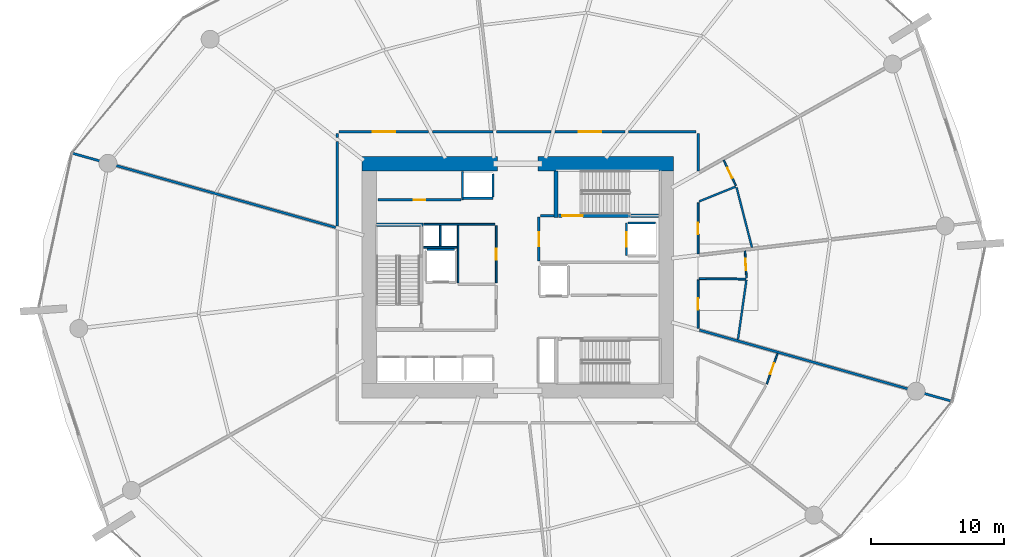
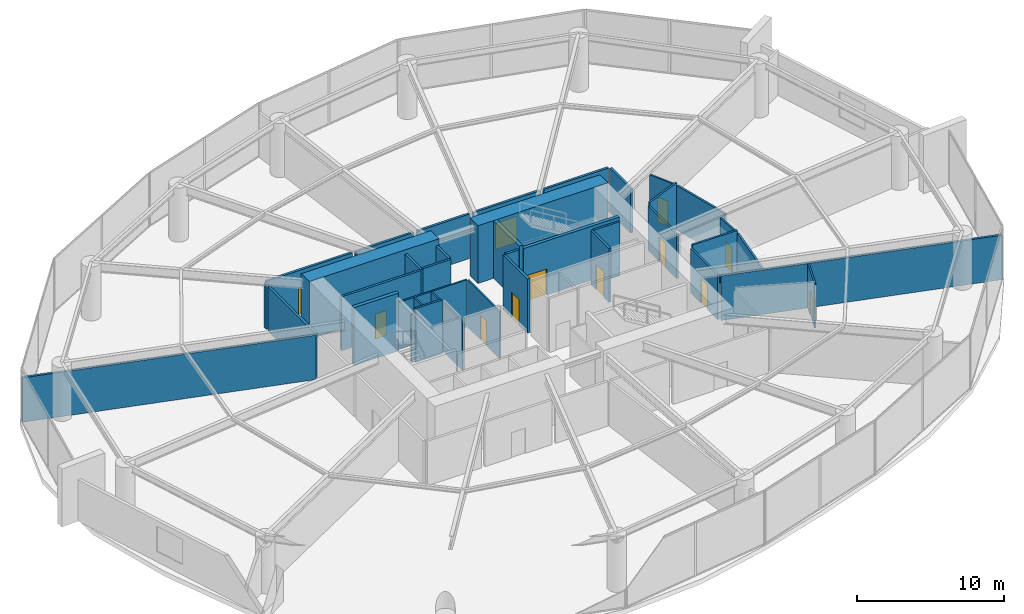
# One storey, part 19 of 22: 38 walls, 12 doors, 12 openings.
"""IFC4 building model written with IfcOpenShell, lengths in metres."""

from ifc_helpers import new_model, si_unit, direction, frame, frame_2d, origin, place, context, subcontext, project, spatial, rectangle, extrude, material, layer, layer_set, type_object, element, fill, save


model = new_model("IFC4")

# Units and contexts
model_context = context("Model", 3, precision=1e-05, world=origin(), true_north=direction((0.0, 1.0)))
body_context = subcontext(model_context, "Body", "Model", "MODEL_VIEW")
ifc_project = project(units=[si_unit("LENGTHUNIT", "METRE"), si_unit("AREAUNIT", "SQUARE_METRE"), si_unit("VOLUMEUNIT", "CUBIC_METRE"), si_unit("PLANEANGLEUNIT", "RADIAN"), si_unit("MASSUNIT", "GRAM", prefix="KILO")], contexts=[model_context])

# Site, building, storey
site_placement = place(None, origin())
site = spatial("IfcSite", under=ifc_project, at=site_placement, CompositionType="ELEMENT")
building_placement = place(site_placement, origin())
building = spatial("IfcBuilding", under=site, at=building_placement, Name="Kazma Halo Residences", CompositionType="ELEMENT")
storey_placement = place(building_placement, frame((0.0, 0.0, 7.199951171875)))
storey = spatial("IfcBuildingStorey", under=building, at=storey_placement, Name="L01", CompositionType="ELEMENT", Elevation=7.199951171875)

# Walls
ifc_material_1 = material(Name="Concrete C80/95", Category="concrete")
ifc_layer_1 = layer(ifc_material_1, 1.10009765625)
ifc_layer_set_1 = layer_set([ifc_layer_1], Name="Concrete C80/95")
wall_type_1 = type_object("IfcWallType", Name="WL-CORE-1100", PredefinedType="SHEAR", material=ifc_layer_set_1)
for number, where, z_axis, x_axis, name in (
    (1, (36.699951171875, 50.550048828125, 0.0), (0.0, 0.0, 1.0), (1.0, 0.0, 0.0), "L01 central core shear wall NW"),
    (2, (49.949951171875, 50.550048828125, 0.0), (0.0, 0.0, 1.0), (1.0, 0.0, 0.0), "L01 central core shear wall NE"),
):
    element("IfcWall", number, at=place(storey_placement, frame(where, z_axis=z_axis, x_axis=x_axis)), inside=storey, type_object=wall_type_1, Name=name, PredefinedType="SHEAR", context=body_context, shape_type="SweptSolid", body=[
        extrude(rectangle(XDim=10.199951171875, YDim=1.10009765625, at=frame_2d((5.10009765625, 0.0))), origin(), (0.0, 0.0, 1.0), 4.800048828125),
    ])
ifc_material_2 = material(Name="Concrete C60/75", Category="concrete")
ifc_layer_2 = layer(ifc_material_2, 0.280029296875)
ifc_layer_set_2 = layer_set([ifc_layer_2], Name="Concrete C60/75")
wall_type_2 = type_object("IfcWallType", Name="WL-CORE-ST-280", PredefinedType="SHEAR", material=ifc_layer_set_2)
for number, where, z_axis, x_axis, name in (
    (3, (37.800048828125, 45.93994140625, 0.0), (0.0, 0.0, 1.0), (1.0, 0.0, 0.0), "L01 stairwell bearing wall ST01-N"),
    (4, (51.31005859375, 46.5, 0.0), (0.0, 0.0, 1.0), (0.0, 1.0, 0.0), "L01 stairwell bearing wall ST02-W"),
):
    element("IfcWall", number, at=place(storey_placement, frame(where, z_axis=z_axis, x_axis=x_axis)), inside=storey, type_object=wall_type_2, Name=name, PredefinedType="SHEAR", context=body_context, shape_type="SweptSolid", body=[
        extrude(rectangle(XDim=3.5, YDim=0.280029296875, at=frame_2d((1.75, 0.0))), origin(), (0.0, 0.0, 1.0), 4.800048828125),
    ])
ifc_material_3 = material(Name="Acoustic Twin-Stud Gypsum")
ifc_layer_3 = layer(ifc_material_3, 0.179931640625)
ifc_layer_set_3 = layer_set([ifc_layer_3], Name="Acoustic Twin-Stud Gypsum")
wall_type_3 = type_object("IfcWallType", Name="WL-DEM-180", PredefinedType="PARTITIONING", material=ifc_layer_set_3)
wall_1_placement = place(storey_placement, frame((62.0, 49.98046875, 0.0), z_axis=(0.0, 0.0, 1.0), x_axis=(0.0, 1.0, 0.0)))
element("IfcWall", 5, at=wall_1_placement, inside=storey, type_object=wall_type_3, Name="L01 Residents Assembly Lounge corridor wall", PredefinedType="PARTITIONING", context=body_context, shape_type="SweptSolid", body=[
    extrude(rectangle(XDim=2.82958984375, YDim=0.179931640625, at=frame_2d((1.414794921875, 0.0))), origin(), (0.0, 0.0, 1.0), 3.693115234375),
])
wall_2_placement = place(storey_placement, frame((61.860107421875, 52.949951171875, 0.0), z_axis=(0.0, 0.0, 1.0), x_axis=(-1.0, 0.0, 0.0)))
element("IfcWall", 6, at=wall_2_placement, inside=storey, type_object=wall_type_3, Name="L01 Residents Assembly Lounge corridor wall", PredefinedType="PARTITIONING", context=body_context, shape_type="SweptSolid", body=[
    extrude(rectangle(XDim=5.087890625, YDim=0.179931640625, at=frame_2d((2.5439453125, 0.0))), origin(), (0.0, 0.0, 1.0), 3.693115234375),
])

# Wall, opening, door
wall_3_placement = place(storey_placement, frame((56.4921875, 52.949951171875, 0.0), z_axis=(0.0, 0.0, 1.0), x_axis=(-1.0, 0.0, 0.0)))
wall_3 = element("IfcWall", 7, at=wall_3_placement, inside=storey, type_object=wall_type_3, Name="L01 Residents Assembly Lounge corridor wall", PredefinedType="PARTITIONING", context=body_context, shape_type="SweptSolid", body=[
    extrude(rectangle(XDim=5.263916015625, YDim=0.179931640625, at=frame_2d((2.6318359375, 0.0))), origin(), (0.0, 0.0, 1.0), 3.693115234375),
])
opening_1_placement = place(wall_3_placement, frame((1.781982421875, 0.0, 0.0)))
opening_1 = element("IfcOpeningElement", 8, at=opening_1_placement, cuts=wall_3, Name="Opening DL-1800", PredefinedType="OPENING", context=body_context, shape_type="SweptSolid", body=[
    extrude(rectangle(XDim=1.699951171875, YDim=2.14990234375, at=frame_2d((0.85009765625, 1.074951171875))), frame((0.0, 0.099853515625, 0.0), z_axis=(0.0, -1.0, 0.0), x_axis=(1.0, 0.0, 0.0)), (0.0, 0.0, 1.0), 0.199951171875),
])
ifc_material_4 = material(Name="Glazed Aluminium Double Leaf", Category="aluminium")
door_type_1 = type_object("IfcDoorType", Name="DR-LGE-1800", OperationType="NOTDEFINED", PredefinedType="DOOR", material=ifc_material_4)
door_1_placement = place(opening_1_placement, origin())
door_1 = element("IfcDoor", 9, at=door_1_placement, inside=storey, type_object=door_type_1, Name="L01 Residents Assembly Lounge entrance door", OperationType="DOUBLE_DOOR_SINGLE_SWING", OverallHeight=2.14990234375, OverallWidth=1.699951171875, PredefinedType="DOOR", context=body_context, shape_type="SweptSolid", body=[
    extrude(rectangle(XDim=1.699951171875, YDim=2.14990234375, at=frame_2d((0.85009765625, 1.074951171875))), frame((0.0, 0.02490234375, 0.0), z_axis=(0.0, -1.0, 0.0), x_axis=(1.0, 0.0, 0.0)), (0.0, 0.0, 1.0), 0.050048828125),
])
fill(opening_1, door_1)

# Walls
wall_4_placement = place(storey_placement, frame((50.9482421875, 52.949951171875, 0.0), z_axis=(0.0, 0.0, 1.0), x_axis=(-1.0, 0.0, 0.0)))
element("IfcWall", 10, at=wall_4_placement, inside=storey, type_object=wall_type_3, Name="L01 Residents Assembly Lounge corridor wall", PredefinedType="PARTITIONING", context=body_context, shape_type="SweptSolid", body=[
    extrude(rectangle(XDim=4.104248046875, YDim=0.179931640625, at=frame_2d((2.05224609375, 0.0))), origin(), (0.0, 0.0, 1.0), 3.693115234375),
])
wall_5_placement = place(storey_placement, frame((46.56396484375, 52.949951171875, 0.0), z_axis=(0.0, 0.0, 1.0), x_axis=(-1.0, 0.0, 0.0)))
element("IfcWall", 11, at=wall_5_placement, inside=storey, type_object=wall_type_3, Name="L01 Co-Working Business Suite corridor wall", PredefinedType="PARTITIONING", context=body_context, shape_type="SweptSolid", body=[
    extrude(rectangle(XDim=4.55615234375, YDim=0.179931640625, at=frame_2d((2.278076171875, 0.0))), origin(), (0.0, 0.0, 1.0), 3.693115234375),
])

# Wall, opening, door
wall_6_placement = place(storey_placement, frame((41.727783203125, 52.949951171875, 0.0), z_axis=(0.0, 0.0, 1.0), x_axis=(-1.0, 0.0, 0.0)))
wall_6 = element("IfcWall", 12, at=wall_6_placement, inside=storey, type_object=wall_type_3, Name="L01 Co-Working Business Suite corridor wall", PredefinedType="PARTITIONING", context=body_context, shape_type="SweptSolid", body=[
    extrude(rectangle(XDim=6.73779296875, YDim=0.179931640625, at=frame_2d((3.368896484375, 0.0))), origin(), (0.0, 0.0, 1.0), 3.693115234375),
])
opening_2_placement = place(wall_6_placement, frame((2.518798828125, 0.0, 0.0)))
opening_2 = element("IfcOpeningElement", 13, at=opening_2_placement, cuts=wall_6, Name="Opening DL-1800", PredefinedType="OPENING", context=body_context, shape_type="SweptSolid", body=[
    extrude(rectangle(XDim=1.699951171875, YDim=2.14990234375, at=frame_2d((0.85009765625, 1.074951171875))), frame((0.0, 0.099853515625, 0.0), z_axis=(0.0, -1.0, 0.0), x_axis=(1.0, 0.0, 0.0)), (0.0, 0.0, 1.0), 0.199951171875),
])
door_2_placement = place(opening_2_placement, origin())
door_2 = element("IfcDoor", 14, at=door_2_placement, inside=storey, type_object=door_type_1, Name="L01 Co-Working Business Suite entrance door", OperationType="DOUBLE_DOOR_SINGLE_SWING", OverallHeight=2.14990234375, OverallWidth=1.699951171875, PredefinedType="DOOR", context=body_context, shape_type="SweptSolid", body=[
    extrude(rectangle(XDim=1.699951171875, YDim=2.14990234375, at=frame_2d((0.85009765625, 1.074951171875))), frame((0.0, 0.02490234375, 0.0), z_axis=(0.0, -1.0, 0.0), x_axis=(1.0, 0.0, 0.0)), (0.0, 0.0, 1.0), 0.050048828125),
])
fill(opening_2, door_2)

# Walls
wall_7_placement = place(storey_placement, frame((34.85009765625, 52.81005859375, 0.0), z_axis=(0.0, 0.0, 1.0), x_axis=(0.0, -1.0, 0.0)))
element("IfcWall", 15, at=wall_7_placement, inside=storey, type_object=wall_type_3, Name="L01 Co-Working Business Suite corridor wall", PredefinedType="PARTITIONING", context=body_context, shape_type="SweptSolid", body=[
    extrude(rectangle(XDim=0.303466796875, YDim=0.179931640625, at=frame_2d((0.15185546875, 0.0))), origin(), (0.0, 0.0, 1.0), 3.693115234375),
])
wall_8_placement = place(storey_placement, frame((34.85009765625, 52.2265625, 0.0), z_axis=(0.0, 0.0, 1.0), x_axis=(0.0, -1.0, 0.0)))
element("IfcWall", 16, at=wall_8_placement, inside=storey, type_object=wall_type_3, Name="L01 Co-Working Business Suite corridor wall", PredefinedType="PARTITIONING", context=body_context, shape_type="SweptSolid", body=[
    extrude(rectangle(XDim=6.3779296875, YDim=0.179931640625, at=frame_2d((3.18896484375, 0.0))), origin(), (0.0, 0.0, 1.0), 3.693115234375),
])
wall_9_placement = place(storey_placement, frame((34.744140625, 45.738525390625, 0.0), z_axis=(0.0, 0.0, 1.0), x_axis=(-0.96245531293, 0.271440178702, 0.0)))
element("IfcWall", 17, at=wall_9_placement, inside=storey, type_object=wall_type_3, Name="L01 radial partition wall 06", PredefinedType="PARTITIONING", context=body_context, shape_type="SweptSolid", body=[
    extrude(rectangle(XDim=20.599609375, YDim=0.179931640625, at=frame_2d((10.2998046875, 0.0))), origin(), (0.0, 0.0, 1.0), 3.693115234375),
])
wall_10_placement = place(storey_placement, frame((62.10595703125, 38.021728515625, 0.0), z_axis=(0.0, 0.0, 1.0), x_axis=(0.962455233657, -0.271440459782, 0.0)))
element("IfcWall", 18, at=wall_10_placement, inside=storey, type_object=wall_type_3, Name="L01 radial partition wall 14", PredefinedType="PARTITIONING", context=body_context, shape_type="SweptSolid", body=[
    extrude(rectangle(XDim=19.71630859375, YDim=0.179931640625, at=frame_2d((9.858154296875, 0.0))), origin(), (0.0, 0.0, 1.0), 3.693115234375),
])
ifc_material_5 = material(Name="Fire-Rated Blockwork Masonry", Category="masonry")
ifc_layer_4 = layer(ifc_material_5, 0.199951171875)
ifc_layer_set_4 = layer_set([ifc_layer_4], Name="Fire-Rated Blockwork Masonry")
wall_type_4 = type_object("IfcWallType", Name="WL-FLB-200", PredefinedType="PARTITIONING", material=ifc_layer_set_4)
wall_11_placement = place(storey_placement, frame((46.580078125, 47.945068359375, 0.0), z_axis=(0.0, 0.0, 1.0), x_axis=(-1.0, 0.0, 0.0)))
element("IfcWall", 19, at=wall_11_placement, inside=storey, type_object=wall_type_4, Name="L01 lift shaft PX-01 front wall", PredefinedType="PARTITIONING", context=body_context, shape_type="SweptSolid", body=[
    extrude(rectangle(XDim=2.260009765625, YDim=0.159912109375, at=frame_2d((1.1298828125, 0.0))), origin(), (0.0, 0.0, 1.0), 4.47998046875),
])
wall_12_placement = place(storey_placement, frame((46.580078125, 48.044921875, 0.0), z_axis=(0.0, 0.0, 1.0), x_axis=(0.0, 1.0, 0.0)))
element("IfcWall", 20, at=wall_12_placement, inside=storey, type_object=wall_type_4, Name="L01 lift shaft PX-01 side wall E", PredefinedType="PARTITIONING", context=body_context, shape_type="SweptSolid", body=[
    extrude(rectangle(XDim=1.7099609375, YDim=0.159912109375, at=frame_2d((0.85498046875, 0.0))), origin(), (0.0, 0.0, 1.0), 4.47998046875),
])
wall_13_placement = place(storey_placement, frame((41.6201171875, 44.080078125, 0.0), z_axis=(0.0, 0.0, 1.0), x_axis=(1.0, 0.0, 0.0)))
element("IfcWall", 21, at=wall_13_placement, inside=storey, type_object=wall_type_4, Name="L01 lift shaft FL-01 side wall N", PredefinedType="PARTITIONING", context=body_context, shape_type="SweptSolid", body=[
    extrude(rectangle(XDim=2.059814453125, YDim=0.159912109375, at=frame_2d((1.02978515625, 0.0))), origin(), (0.0, 0.0, 1.0), 4.47998046875),
])

# Wall, opening, door
wall_14_placement = place(storey_placement, frame((56.6201171875, 46.080078125, 0.0), z_axis=(0.0, 0.0, 1.0), x_axis=(0.0, -1.0, 0.0)))
wall_14 = element("IfcWall", 22, at=wall_14_placement, inside=storey, type_object=wall_type_4, Name="L01 lift shaft FL-02 front wall", PredefinedType="PARTITIONING", context=body_context, shape_type="SweptSolid", body=[
    extrude(rectangle(XDim=2.4599609375, YDim=0.159912109375, at=frame_2d((1.22998046875, 0.0))), origin(), (0.0, 0.0, 1.0), 4.47998046875),
])
opening_3_placement = place(wall_14_placement, frame((0.679931640625, 0.0, 0.0)))
opening_3 = element("IfcOpeningElement", 23, at=opening_3_placement, cuts=wall_14, Name="Opening LD-FL-02", PredefinedType="OPENING", context=body_context, shape_type="SweptSolid", body=[
    extrude(rectangle(XDim=1.10009765625, YDim=2.10009765625, at=frame_2d((0.550048828125, 1.050048828125))), frame((0.0, 0.08984375, 0.0), z_axis=(0.0, -1.0, 0.0), x_axis=(1.0, 0.0, 0.0)), (0.0, 0.0, 1.0), 0.179931640625),
])
ifc_material_6 = material(Name="Stainless Steel Fire-Rated", Category="steel")
door_type_2 = type_object("IfcDoorType", Name="DR-LIFT-SLD-1100", OperationType="DOUBLE_DOOR_SLIDING", PredefinedType="DOOR", material=ifc_material_6)
door_3_placement = place(opening_3_placement, origin())
door_3 = element("IfcDoor", 24, at=door_3_placement, inside=storey, type_object=door_type_2, Name="L01 lift FL-02 sliding landing door", OperationType="DOUBLE_DOOR_SLIDING", OverallHeight=2.10009765625, OverallWidth=1.10009765625, PredefinedType="DOOR", context=body_context, shape_type="SweptSolid", body=[
    extrude(rectangle(XDim=1.10009765625, YDim=2.10009765625, at=frame_2d((0.550048828125, 1.050048828125))), frame((0.0, 0.02490234375, 0.0), z_axis=(0.0, -1.0, 0.0), x_axis=(1.0, 0.0, 0.0)), (0.0, 0.0, 1.0), 0.050048828125),
])
fill(opening_3, door_3)

# Wall
wall_15_placement = place(storey_placement, frame((56.719970703125, 46.080078125, 0.0), z_axis=(0.0, 0.0, 1.0), x_axis=(1.0, 0.0, 0.0)))
element("IfcWall", 25, at=wall_15_placement, inside=storey, type_object=wall_type_4, Name="L01 lift shaft FL-02 side wall N", PredefinedType="PARTITIONING", context=body_context, shape_type="SweptSolid", body=[
    extrude(rectangle(XDim=2.06005859375, YDim=0.159912109375, at=frame_2d((1.030029296875, 0.0))), origin(), (0.0, 0.0, 1.0), 4.47998046875),
])

# Wall, opening, door
wall_16_placement = place(storey_placement, frame((37.919921875, 47.820068359375, 0.0), z_axis=(0.0, 0.0, 1.0), x_axis=(1.0, 0.0, 0.0)))
wall_16 = element("IfcWall", 26, at=wall_16_placement, inside=storey, type_object=wall_type_4, Name="L01 core north reserve wall", PredefinedType="PARTITIONING", context=body_context, shape_type="SweptSolid", body=[
    extrude(rectangle(XDim=6.260009765625, YDim=0.179931640625, at=frame_2d((3.1298828125, 0.0))), origin(), (0.0, 0.0, 1.0), 4.47998046875),
])
opening_4_placement = place(wall_16_placement, frame((2.705078125, 0.0, 0.0)))
opening_4 = element("IfcOpeningElement", 27, at=opening_4_placement, cuts=wall_16, Name="Opening DS-850", PredefinedType="OPENING", context=body_context, shape_type="SweptSolid", body=[
    extrude(rectangle(XDim=0.85009765625, YDim=2.06005859375, at=frame_2d((0.425048828125, 1.030029296875))), frame((0.0, 0.099853515625, 0.0), z_axis=(0.0, -1.0, 0.0), x_axis=(1.0, 0.0, 0.0)), (0.0, 0.0, 1.0), 0.199951171875),
])
ifc_material_7 = material(Name="Painted Steel Access Leaf", Category="steel")
door_type_3 = type_object("IfcDoorType", Name="DR-SVC-850", OperationType="NOTDEFINED", PredefinedType="DOOR", material=ifc_material_7)
door_4_placement = place(opening_4_placement, origin())
door_4 = element("IfcDoor", 28, at=door_4_placement, inside=storey, type_object=door_type_3, Name="L01 core north reserve door", OperationType="SINGLE_SWING_LEFT", OverallHeight=2.06005859375, OverallWidth=0.85009765625, PredefinedType="DOOR", context=body_context, shape_type="SweptSolid", body=[
    extrude(rectangle(XDim=0.85009765625, YDim=2.06005859375, at=frame_2d((0.425048828125, 1.030029296875))), frame((0.0, 0.02490234375, 0.0), z_axis=(0.0, -1.0, 0.0), x_axis=(1.0, 0.0, 0.0)), (0.0, 0.0, 1.0), 0.050048828125),
])
fill(opening_4, door_4)

# Walls
wall_17_placement = place(storey_placement, frame((44.280029296875, 47.820068359375, 0.0), z_axis=(0.0, 0.0, 1.0), x_axis=(0.0, 1.0, 0.0)))
element("IfcWall", 29, at=wall_17_placement, inside=storey, type_object=wall_type_4, Name="L01 PX-01 hoistway west wall", PredefinedType="PARTITIONING", context=body_context, shape_type="SweptSolid", body=[
    extrude(rectangle(XDim=2.1298828125, YDim=0.179931640625, at=frame_2d((1.06494140625, 0.0))), origin(), (0.0, 0.0, 1.0), 4.47998046875),
])
wall_18_placement = place(storey_placement, frame((50.139892578125, 46.6201171875, 0.0), z_axis=(0.0, 0.0, 1.0), x_axis=(1.0, 0.0, 0.0)))
element("IfcWall", 30, at=wall_18_placement, inside=storey, type_object=wall_type_4, Name="L01 east firefighting lobby north closure wall", PredefinedType="PARTITIONING", context=body_context, shape_type="SweptSolid", body=[
    extrude(rectangle(XDim=1.02001953125, YDim=0.199951171875, at=frame_2d((0.510009765625, 0.0))), origin(), (0.0, 0.0, 1.0), 4.47998046875),
])

# Wall, opening, door
wall_19_placement = place(storey_placement, frame((50.02001953125, 43.219970703125, 0.0), z_axis=(0.0, 0.0, 1.0), x_axis=(0.0, 1.0, 0.0)))
wall_19 = element("IfcWall", 31, at=wall_19_placement, inside=storey, type_object=wall_type_4, Name="L01 east firefighting lobby smoke wall", PredefinedType="PARTITIONING", context=body_context, shape_type="SweptSolid", body=[
    extrude(rectangle(XDim=3.300048828125, YDim=0.199951171875, at=frame_2d((1.64990234375, 0.0))), origin(), (0.0, 0.0, 1.0), 4.47998046875),
])
opening_5_placement = place(wall_19_placement, frame((1.125, 0.0, 0.0)))
opening_5 = element("IfcOpeningElement", 32, at=opening_5_placement, cuts=wall_19, Name="Opening D-FLE", PredefinedType="OPENING", context=body_context, shape_type="SweptSolid", body=[
    extrude(rectangle(XDim=1.050048828125, YDim=2.10009765625, at=frame_2d((0.52490234375, 1.050048828125))), frame((0.0, 0.10986328125, 0.0), z_axis=(0.0, -1.0, 0.0), x_axis=(1.0, 0.0, 0.0)), (0.0, 0.0, 1.0), 0.219970703125),
])
ifc_material_8 = material(Name="Fire-Rated Steel Leaf", Category="steel")
door_type_4 = type_object("IfcDoorType", Name="DR-FD90-1050", OperationType="NOTDEFINED", PredefinedType="DOOR", material=ifc_material_8)
door_5_placement = place(opening_5_placement, origin())
door_5 = element("IfcDoor", 33, at=door_5_placement, inside=storey, type_object=door_type_4, Name="L01 east firefighting lobby smoke door", OperationType="SINGLE_SWING_LEFT", OverallHeight=2.10009765625, OverallWidth=1.050048828125, PredefinedType="DOOR", context=body_context, shape_type="SweptSolid", body=[
    extrude(rectangle(XDim=1.050048828125, YDim=2.10009765625, at=frame_2d((0.52490234375, 1.050048828125))), frame((0.0, 0.02490234375, 0.0), z_axis=(0.0, -1.0, 0.0), x_axis=(1.0, 0.0, 0.0)), (0.0, 0.0, 1.0), 0.050048828125),
])
fill(opening_5, door_5)

# Walls
ifc_material_9 = material(Name="Gypsum Plasterboard Partition")
ifc_layer_5 = layer(ifc_material_9, 0.125)
ifc_layer_set_5 = layer_set([ifc_layer_5], Name="Gypsum Plasterboard Partition")
wall_type_5 = type_object("IfcWallType", Name="WL-PART-125", PredefinedType="PARTITIONING", material=ifc_layer_set_5)
wall_20_placement = place(storey_placement, frame((41.360107421875, 45.97998046875, 0.0), z_axis=(0.0, 0.0, 1.0), x_axis=(1.0, 0.0, 0.0)))
element("IfcWall", 34, at=wall_20_placement, inside=storey, type_object=wall_type_5, Name="L01 core north riser wall", PredefinedType="PARTITIONING", context=body_context, shape_type="SweptSolid", body=[
    extrude(rectangle(XDim=5.35986328125, YDim=0.125, at=frame_2d((2.679931640625, 0.0))), origin(), (0.0, 0.0, 1.0), 3.920166015625),
])
wall_21_placement = place(storey_placement, frame((41.360107421875, 44.260009765625, 0.0), z_axis=(0.0, 0.0, 1.0), x_axis=(1.0, 0.0, 0.0)))
element("IfcWall", 35, at=wall_21_placement, inside=storey, type_object=wall_type_5, Name="L01 core riser south wall", PredefinedType="PARTITIONING", context=body_context, shape_type="SweptSolid", body=[
    extrude(rectangle(XDim=2.5, YDim=0.125, at=frame_2d((1.25, 0.0))), origin(), (0.0, 0.0, 1.0), 3.920166015625),
])
wall_22_placement = place(storey_placement, frame((42.60009765625, 44.35009765625, 0.0), z_axis=(0.0, 0.0, 1.0), x_axis=(0.0, 1.0, 0.0)))
element("IfcWall", 36, at=wall_22_placement, inside=storey, type_object=wall_type_5, Name="L01 core riser divider wall", PredefinedType="PARTITIONING", context=body_context, shape_type="SweptSolid", body=[
    extrude(rectangle(XDim=1.5498046875, YDim=0.125, at=frame_2d((0.77490234375, 0.0))), origin(), (0.0, 0.0, 1.0), 3.920166015625),
])
wall_23_placement = place(storey_placement, frame((43.949951171875, 41.580078125, 0.0), z_axis=(0.0, 0.0, 1.0), x_axis=(0.0, 1.0, 0.0)))
element("IfcWall", 37, at=wall_23_placement, inside=storey, type_object=wall_type_5, Name="L01 core service west wall", PredefinedType="PARTITIONING", context=body_context, shape_type="SweptSolid", body=[
    extrude(rectangle(XDim=4.31982421875, YDim=0.125, at=frame_2d((2.159912109375, 0.0))), origin(), (0.0, 0.0, 1.0), 3.920166015625),
])

# Wall, opening, door
wall_24_placement = place(storey_placement, frame((46.820068359375, 41.580078125, 0.0), z_axis=(0.0, 0.0, 1.0), x_axis=(0.0, 1.0, 0.0)))
wall_24 = element("IfcWall", 38, at=wall_24_placement, inside=storey, type_object=wall_type_5, Name="L01 core service room east wall", PredefinedType="PARTITIONING", context=body_context, shape_type="SweptSolid", body=[
    extrude(rectangle(XDim=4.2998046875, YDim=0.125, at=frame_2d((2.14990234375, 0.0))), origin(), (0.0, 0.0, 1.0), 3.920166015625),
])
opening_6_placement = place(wall_24_placement, frame((1.72509765625, 0.0, 0.0)))
opening_6 = element("IfcOpeningElement", 39, at=opening_6_placement, cuts=wall_24, Name="Opening DS-850", PredefinedType="OPENING", context=body_context, shape_type="SweptSolid", body=[
    extrude(rectangle(XDim=0.85009765625, YDim=2.06005859375, at=frame_2d((0.425048828125, 1.030029296875))), frame((0.0, 0.072509765625, 0.0), z_axis=(0.0, -1.0, 0.0), x_axis=(1.0, 0.0, 0.0)), (0.0, 0.0, 1.0), 0.14501953125),
])
door_6_placement = place(opening_6_placement, origin())
door_6 = element("IfcDoor", 40, at=door_6_placement, inside=storey, type_object=door_type_3, Name="L01 core service room door", OperationType="SINGLE_SWING_RIGHT", OverallHeight=2.06005859375, OverallWidth=0.85009765625, PredefinedType="DOOR", context=body_context, shape_type="SweptSolid", body=[
    extrude(rectangle(XDim=0.85009765625, YDim=2.06005859375, at=frame_2d((0.425048828125, 1.030029296875))), frame((0.0, 0.02490234375, 0.0), z_axis=(0.0, -1.0, 0.0), x_axis=(1.0, 0.0, 0.0)), (0.0, 0.0, 1.0), 0.050048828125),
])
fill(opening_6, door_6)

wall_25_placement = place(storey_placement, frame((67.168212890625, 33.97021484375, 0.0), z_axis=(0.0, 0.0, 1.0), x_axis=(0.331316814656, 0.943519564358, 0.0)))
wall_25 = element("IfcWall", 41, at=wall_25_placement, inside=storey, type_object=wall_type_5, Name="L01 supply store wall", PredefinedType="PARTITIONING", context=body_context, shape_type="SweptSolid", body=[
    extrude(rectangle(XDim=2.43017578125, YDim=0.125, at=frame_2d((1.215087890625, 0.0))), origin(), (0.0, 0.0, 1.0), 3.693115234375),
])
opening_7_placement = place(wall_25_placement, frame((0.790283203125, 0.0, 0.0)))
opening_7 = element("IfcOpeningElement", 42, at=opening_7_placement, cuts=wall_25, Name="Opening DS-850", PredefinedType="OPENING", context=body_context, shape_type="SweptSolid", body=[
    extrude(rectangle(XDim=0.85009765625, YDim=2.06005859375, at=frame_2d((0.425048828125, 1.030029296875))), frame((0.0, 0.072509765625, 0.0), z_axis=(0.0, -1.0, 0.0), x_axis=(1.0, 0.0, 0.0)), (0.0, 0.0, 1.0), 0.14501953125),
])
door_7_placement = place(opening_7_placement, origin())
door_7 = element("IfcDoor", 43, at=door_7_placement, inside=storey, type_object=door_type_3, Name="L01 supply store door", OperationType="SINGLE_SWING_LEFT", OverallHeight=2.06005859375, OverallWidth=0.85009765625, PredefinedType="DOOR", context=body_context, shape_type="SweptSolid", body=[
    extrude(rectangle(XDim=0.85009765625, YDim=2.06005859375, at=frame_2d((0.425048828125, 1.030029296875))), frame((0.0, 0.02490234375, 0.0), z_axis=(0.0, -1.0, 0.0), x_axis=(1.0, 0.0, 0.0)), (0.0, 0.0, 1.0), 0.050048828125),
])
fill(opening_7, door_7)

wall_26_placement = place(storey_placement, frame((65.64111328125, 41.94140625, 0.0), z_axis=(0.0, 0.0, 1.0), x_axis=(-0.054918793983, 0.998490824228, 0.0)))
wall_26 = element("IfcWall", 44, at=wall_26_placement, inside=storey, type_object=wall_type_5, Name="L01 supply store wall", PredefinedType="PARTITIONING", context=body_context, shape_type="SweptSolid", body=[
    extrude(rectangle(XDim=2.0361328125, YDim=0.125, at=frame_2d((1.01806640625, 0.0))), origin(), (0.0, 0.0, 1.0), 3.693115234375),
])
opening_8_placement = place(wall_26_placement, frame((0.593017578125, 0.0, 0.0)))
opening_8 = element("IfcOpeningElement", 45, at=opening_8_placement, cuts=wall_26, Name="Opening DS-850", PredefinedType="OPENING", context=body_context, shape_type="SweptSolid", body=[
    extrude(rectangle(XDim=0.85009765625, YDim=2.06005859375, at=frame_2d((0.425048828125, 1.030029296875))), frame((0.0, 0.072509765625, 0.0), z_axis=(0.0, -1.0, 0.0), x_axis=(1.0, 0.0, 0.0)), (0.0, 0.0, 1.0), 0.14501953125),
])
door_8_placement = place(opening_8_placement, origin())
door_8 = element("IfcDoor", 46, at=door_8_placement, inside=storey, type_object=door_type_3, Name="L01 supply store door", OperationType="SINGLE_SWING_RIGHT", OverallHeight=2.06005859375, OverallWidth=0.85009765625, PredefinedType="DOOR", context=body_context, shape_type="SweptSolid", body=[
    extrude(rectangle(XDim=0.85009765625, YDim=2.06005859375, at=frame_2d((0.425048828125, 1.030029296875))), frame((0.0, 0.02490234375, 0.0), z_axis=(0.0, -1.0, 0.0), x_axis=(1.0, 0.0, 0.0)), (0.0, 0.0, 1.0), 0.050048828125),
])
fill(opening_8, door_8)

wall_27_placement = place(storey_placement, frame((64.8388671875, 48.906494140625, 0.0), z_axis=(0.0, 0.0, 1.0), x_axis=(-0.432923235959, 0.901430791446, 0.0)))
wall_27 = element("IfcWall", 47, at=wall_27_placement, inside=storey, type_object=wall_type_5, Name="L01 supply store wall", PredefinedType="PARTITIONING", context=body_context, shape_type="SweptSolid", body=[
    extrude(rectangle(XDim=2.106201171875, YDim=0.125, at=frame_2d((1.05322265625, 0.0))), origin(), (0.0, 0.0, 1.0), 3.693115234375),
])
opening_9_placement = place(wall_27_placement, frame((0.628173828125, 0.0, 0.0)))
opening_9 = element("IfcOpeningElement", 48, at=opening_9_placement, cuts=wall_27, Name="Opening DS-850", PredefinedType="OPENING", context=body_context, shape_type="SweptSolid", body=[
    extrude(rectangle(XDim=0.85009765625, YDim=2.06005859375, at=frame_2d((0.425048828125, 1.030029296875))), frame((0.0, 0.072509765625, 0.0), z_axis=(0.0, -1.0, 0.0), x_axis=(1.0, 0.0, 0.0)), (0.0, 0.0, 1.0), 0.14501953125),
])
door_9_placement = place(opening_9_placement, origin())
door_9 = element("IfcDoor", 49, at=door_9_placement, inside=storey, type_object=door_type_3, Name="L01 supply store door", OperationType="SINGLE_SWING_LEFT", OverallHeight=2.06005859375, OverallWidth=0.85009765625, PredefinedType="DOOR", context=body_context, shape_type="SweptSolid", body=[
    extrude(rectangle(XDim=0.85009765625, YDim=2.06005859375, at=frame_2d((0.425048828125, 1.030029296875))), frame((0.0, 0.02490234375, 0.0), z_axis=(0.0, -1.0, 0.0), x_axis=(1.0, 0.0, 0.0)), (0.0, 0.0, 1.0), 0.050048828125),
])
fill(opening_9, door_9)

ifc_material_10 = material(Name="Concrete C50/60", Category="concrete")
ifc_layer_6 = layer(ifc_material_10, 0.25)
ifc_layer_set_6 = layer_set([ifc_layer_6], Name="Concrete C50/60")
wall_type_6 = type_object("IfcWallType", Name="WL-SHF-250", PredefinedType="SOLIDWALL", material=ifc_layer_set_6)
wall_28_placement = place(storey_placement, frame((51.47998046875, 46.6201171875, 0.0), z_axis=(0.0, 0.0, 1.0), x_axis=(1.0, 0.0, 0.0)))
wall_28 = element("IfcWall", 50, at=wall_28_placement, inside=storey, type_object=wall_type_6, Name="L01 exit stair ST-02 enclosure wall", PredefinedType="SOLIDWALL", context=body_context, shape_type="SweptSolid", body=[
    extrude(rectangle(XDim=7.5400390625, YDim=0.25, at=frame_2d((3.77001953125, 0.0))), origin(), (0.0, 0.0, 1.0), 4.47998046875),
])
opening_10_placement = place(wall_28_placement, frame((0.300048828125, 0.0, 0.0)))
opening_10 = element("IfcOpeningElement", 51, at=opening_10_placement, cuts=wall_28, Name="Opening D-ST2", PredefinedType="OPENING", context=body_context, shape_type="SweptSolid", body=[
    extrude(rectangle(XDim=1.550048828125, YDim=2.14990234375, at=frame_2d((0.77490234375, 1.074951171875))), frame((0.0, 0.135009765625, 0.0), z_axis=(0.0, -1.0, 0.0), x_axis=(1.0, 0.0, 0.0)), (0.0, 0.0, 1.0), 0.27001953125),
])
ifc_material_11 = material(Name="Fire-Rated Double Steel Leaf", Category="steel")
door_type_5 = type_object("IfcDoorType", Name="DR-FD90-1550", OperationType="NOTDEFINED", PredefinedType="DOOR", material=ifc_material_11)
door_10_placement = place(opening_10_placement, origin())
door_10 = element("IfcDoor", 52, at=door_10_placement, inside=storey, type_object=door_type_5, Name="L01 exit stair ST-02 fire door", OperationType="DOUBLE_DOOR_SINGLE_SWING", OverallHeight=2.14990234375, OverallWidth=1.550048828125, PredefinedType="DOOR", context=body_context, shape_type="SweptSolid", body=[
    extrude(rectangle(XDim=1.550048828125, YDim=2.14990234375, at=frame_2d((0.77490234375, 1.074951171875))), frame((0.0, 0.02490234375, 0.0), z_axis=(0.0, -1.0, 0.0), x_axis=(1.0, 0.0, 0.0)), (0.0, 0.0, 1.0), 0.050048828125),
])
fill(opening_10, door_10)

ifc_material_12 = material(Name="Moisture-Resistant Gypsum")
ifc_layer_7 = layer(ifc_material_12, 0.14990234375)
ifc_layer_set_7 = layer_set([ifc_layer_7], Name="Moisture-Resistant Gypsum")
wall_type_7 = type_object("IfcWallType", Name="WL-WET-150", PredefinedType="PARTITIONING", material=ifc_layer_set_7)
wall_29_placement = place(storey_placement, frame((62.0, 38.151611328125, 0.0), z_axis=(0.0, 0.0, 1.0), x_axis=(0.0, 1.0, 0.0)))
wall_29 = element("IfcWall", 53, at=wall_29_placement, inside=storey, type_object=wall_type_7, Name="L01 Podium Female WC corridor wall", PredefinedType="PARTITIONING", context=body_context, shape_type="SweptSolid", body=[
    extrude(rectangle(XDim=3.658447265625, YDim=0.14990234375, at=frame_2d((1.8291015625, 0.0))), origin(), (0.0, 0.0, 1.0), 3.693115234375),
])
opening_11_placement = place(wall_29_placement, frame((1.404296875, 0.0, 0.0)))
opening_11 = element("IfcOpeningElement", 54, at=opening_11_placement, cuts=wall_29, Name="Opening DB-900", PredefinedType="OPENING", context=body_context, shape_type="SweptSolid", body=[
    extrude(rectangle(XDim=0.85009765625, YDim=2.06005859375, at=frame_2d((0.425048828125, 1.030029296875))), frame((0.0, 0.0849609375, 0.0), z_axis=(0.0, -1.0, 0.0), x_axis=(1.0, 0.0, 0.0)), (0.0, 0.0, 1.0), 0.169921875),
])
ifc_material_13 = material(Name="Moisture-Sealed Timber Leaf", Category="wood")
door_type_6 = type_object("IfcDoorType", Name="DR-BTH-900", OperationType="NOTDEFINED", PredefinedType="DOOR", material=ifc_material_13)
door_11_placement = place(opening_11_placement, origin())
door_11 = element("IfcDoor", 55, at=door_11_placement, inside=storey, type_object=door_type_6, Name="L01 Podium Female WC door", OperationType="SINGLE_SWING_LEFT", OverallHeight=2.06005859375, OverallWidth=0.85009765625, PredefinedType="DOOR", context=body_context, shape_type="SweptSolid", body=[
    extrude(rectangle(XDim=0.85009765625, YDim=2.06005859375, at=frame_2d((0.425048828125, 1.030029296875))), frame((0.0, 0.02490234375, 0.0), z_axis=(0.0, -1.0, 0.0), x_axis=(1.0, 0.0, 0.0)), (0.0, 0.0, 1.0), 0.050048828125),
])
fill(opening_11, door_11)

# Walls
wall_30_placement = place(storey_placement, frame((62.080078125, 41.889404296875, 0.0), z_axis=(0.0, 0.0, 1.0), x_axis=(0.999969031596, -0.007869933178, 0.0)))
element("IfcWall", 56, at=wall_30_placement, inside=storey, type_object=wall_type_7, Name="L01 Podium Female WC side wall", PredefinedType="PARTITIONING", context=body_context, shape_type="SweptSolid", body=[
    extrude(rectangle(XDim=3.50537109375, YDim=0.14990234375, at=frame_2d((1.752685546875, 0.0))), origin(), (0.0, 0.0, 1.0), 3.920166015625),
])
wall_31_placement = place(storey_placement, frame((64.99755859375, 37.30908203125, 0.0), z_axis=(0.0, 0.0, 1.0), x_axis=(0.140922059176, 0.990020693338, 0.0)))
element("IfcWall", 57, at=wall_31_placement, inside=storey, type_object=wall_type_7, Name="L01 Podium Female WC back wall", PredefinedType="PARTITIONING", context=body_context, shape_type="SweptSolid", body=[
    extrude(rectangle(XDim=4.518310546875, YDim=0.14990234375, at=frame_2d((2.25927734375, 0.0))), origin(), (0.0, 0.0, 1.0), 3.693115234375),
])

# Wall, opening, door
wall_32_placement = place(storey_placement, frame((62.0, 43.757080078125, 0.0), z_axis=(0.0, 0.0, 1.0), x_axis=(0.0, 1.0, 0.0)))
wall_32 = element("IfcWall", 58, at=wall_32_placement, inside=storey, type_object=wall_type_7, Name="L01 Podium Accessible WC corridor wall", PredefinedType="PARTITIONING", context=body_context, shape_type="SweptSolid", body=[
    extrude(rectangle(XDim=3.83349609375, YDim=0.14990234375, at=frame_2d((1.916748046875, 0.0))), origin(), (0.0, 0.0, 1.0), 3.693115234375),
])
opening_12_placement = place(wall_32_placement, frame((1.49169921875, 0.0, 0.0)))
opening_12 = element("IfcOpeningElement", 59, at=opening_12_placement, cuts=wall_32, Name="Opening DB-900", PredefinedType="OPENING", context=body_context, shape_type="SweptSolid", body=[
    extrude(rectangle(XDim=0.85009765625, YDim=2.06005859375, at=frame_2d((0.425048828125, 1.030029296875))), frame((0.0, 0.0849609375, 0.0), z_axis=(0.0, -1.0, 0.0), x_axis=(1.0, 0.0, 0.0)), (0.0, 0.0, 1.0), 0.169921875),
])
door_12_placement = place(opening_12_placement, origin())
door_12 = element("IfcDoor", 60, at=door_12_placement, inside=storey, type_object=door_type_6, Name="L01 Podium Accessible WC door", OperationType="SINGLE_SWING_RIGHT", OverallHeight=2.06005859375, OverallWidth=0.85009765625, PredefinedType="DOOR", context=body_context, shape_type="SweptSolid", body=[
    extrude(rectangle(XDim=0.85009765625, YDim=2.06005859375, at=frame_2d((0.425048828125, 1.030029296875))), frame((0.0, 0.02490234375, 0.0), z_axis=(0.0, -1.0, 0.0), x_axis=(1.0, 0.0, 0.0)), (0.0, 0.0, 1.0), 0.050048828125),
])
fill(opening_12, door_12)

# Walls
wall_33_placement = place(storey_placement, frame((62.07421875, 47.70068359375, 0.0), z_axis=(0.0, 0.0, 1.0), x_axis=(0.926852538468, 0.375425587747, 0.0)))
element("IfcWall", 61, at=wall_33_placement, inside=storey, type_object=wall_type_7, Name="L01 Podium Accessible WC side wall", PredefinedType="PARTITIONING", context=body_context, shape_type="SweptSolid", body=[
    extrude(rectangle(XDim=2.960205078125, YDim=0.14990234375, at=frame_2d((1.47998046875, 0.0))), origin(), (0.0, 0.0, 1.0), 3.920166015625),
])
wall_34_placement = place(storey_placement, frame((66.053955078125, 44.23681640625, 0.0), z_axis=(0.0, 0.0, 1.0), x_axis=(-0.248710144761, 0.968577959636, 0.0)))
element("IfcWall", 62, at=wall_34_placement, inside=storey, type_object=wall_type_7, Name="L01 Podium Accessible WC back wall", PredefinedType="PARTITIONING", context=body_context, shape_type="SweptSolid", body=[
    extrude(rectangle(XDim=4.666748046875, YDim=0.14990234375, at=frame_2d((2.33349609375, 0.0))), origin(), (0.0, 0.0, 1.0), 3.693115234375),
])

save(model, "model.ifc")
